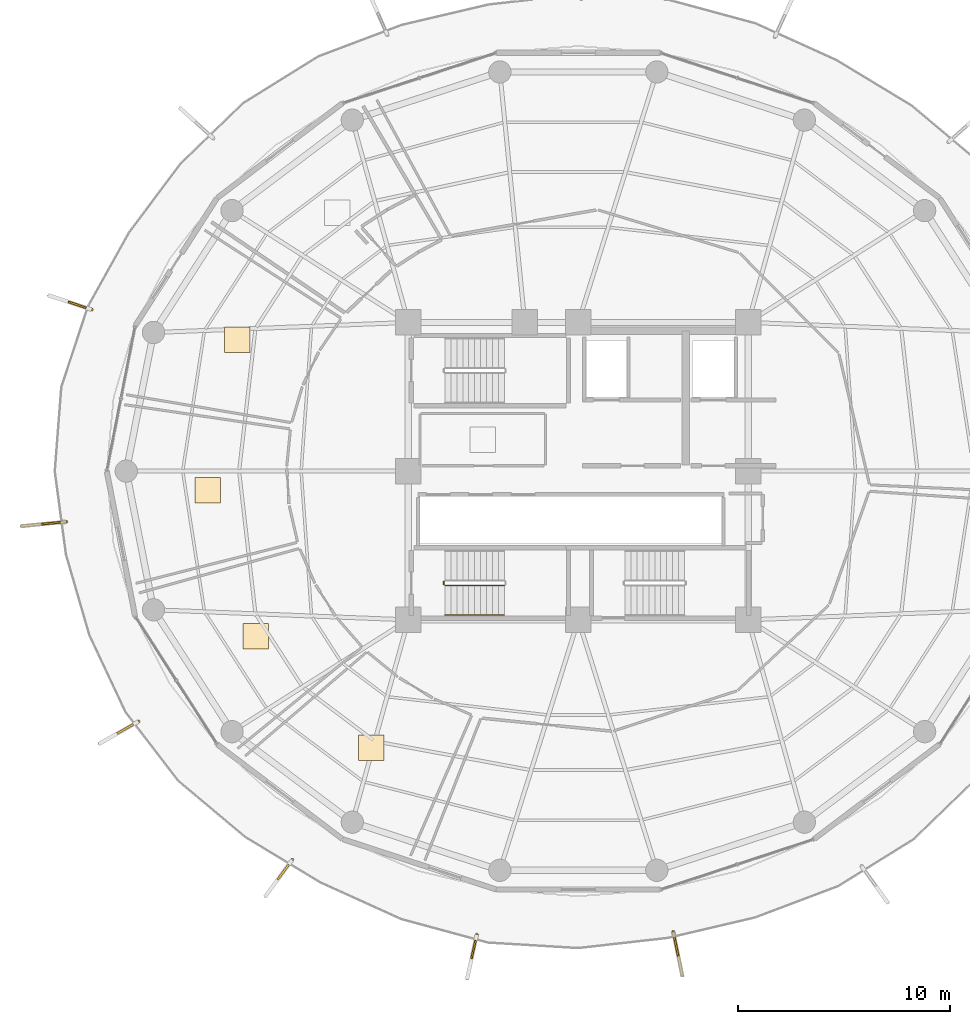
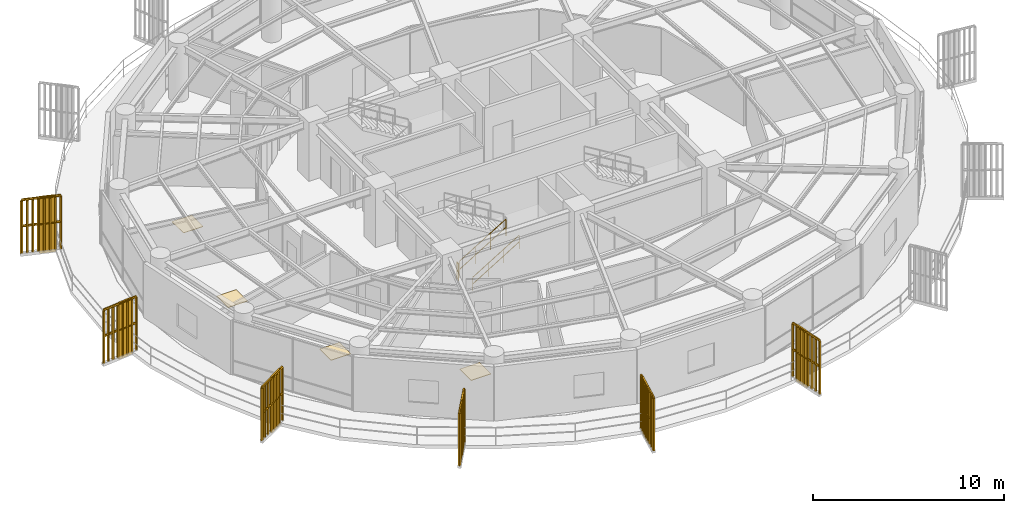
# One storey, part 28 of 31: 9 railings, 6 shading devices, 4 coverings.
"""IFC4 building model written with IfcOpenShell, lengths in metres."""

from ifc_helpers import new_model, si_unit, direction, frame, origin, origin_2d, place, context, subcontext, project, spatial, polyline, rectangle, outline, extrude, source, transform, mapped, material, layer, layer_set, type_object, element, save


model = new_model("IFC4")

# Units and contexts
model_context = context("Model", 3, precision=1e-05, world=origin(), true_north=direction((0.0, 1.0)))
body_context = subcontext(model_context, "Body", "Model", "MODEL_VIEW")
ifc_project = project(units=[si_unit("LENGTHUNIT", "METRE"), si_unit("AREAUNIT", "SQUARE_METRE"), si_unit("VOLUMEUNIT", "CUBIC_METRE"), si_unit("PLANEANGLEUNIT", "RADIAN"), si_unit("MASSUNIT", "GRAM", prefix="KILO")], contexts=[model_context])

# Site, building, storey
site_placement = place(None, origin())
site = spatial("IfcSite", under=ifc_project, at=site_placement, CompositionType="ELEMENT")
building_placement = place(site_placement, origin())
building = spatial("IfcBuilding", under=site, at=building_placement, Name="Kelanora Arch Commons", CompositionType="ELEMENT")
storey_placement = place(building_placement, frame((0.0, 0.0, 193.199951171875)))
storey = spatial("IfcBuildingStorey", under=building, at=storey_placement, Name="L49", CompositionType="ELEMENT", Elevation=193.199951171875)

# Railings
ifc_material_1 = material(Name="Anodised bronze vertical shading fin rib assembly")
railing_type_1 = type_object("IfcRailingType", Name="RAIL-FIN-BRZ", PredefinedType="BALUSTRADE", material=ifc_material_1)
railing_1_placement = place(storey_placement, frame((51.0947265625, 65.6005859375, -0.02001953125)))
element("IfcRailing", 1, at=railing_1_placement, inside=storey, type_object=railing_type_1, Name="Sweeping Bronze Vertical Fin Blade L49-08", PredefinedType="BALUSTRADE", context=body_context, shape_type="SweptSolid", body=[
    extrude(outline(polyline([(0.06982421875, 0.0), (0.034912109375, 0.060546875), (-0.034912109375, 0.060546875), (-0.06982421875, 0.0), (-0.034912109375, -0.060546875), (0.034912109375, -0.060546875), (0.06982421875, 0.0)])), frame((0.0, 0.0, 3.419921875), z_axis=(-0.94912248489, 0.314907142943, 0.0), x_axis=(-0.314907142943, -0.94912248489, 0.0)), (0.0, 0.0, 1.0), 2.10791015625),
    extrude(outline(polyline([(0.06982421875, 0.0), (0.034912109375, 0.060546875), (-0.034912109375, 0.060546875), (-0.06982421875, 0.0), (-0.034912109375, -0.060546875), (0.034912109375, -0.060546875), (0.06982421875, 0.0)])), frame((0.0, 0.0, 1.7451171875), z_axis=(-0.94912248489, 0.314907142943, 0.0), x_axis=(-0.314907142943, -0.94912248489, 0.0)), (0.0, 0.0, 1.0), 2.10791015625),
    extrude(outline(polyline([(0.080078125, 0.0), (0.0400390625, 0.0693359375), (-0.0400390625, 0.0693359375), (-0.080078125, 0.0), (-0.0400390625, -0.0693359375), (0.0400390625, -0.0693359375), (0.080078125, 0.0)])), origin(), (0.0, 0.0, 1.0), 3.35009765625),
    extrude(outline(polyline([(0.080078125, 0.0), (0.0400390625, 0.0693359375), (-0.0400390625, 0.0693359375), (-0.080078125, 0.0), (-0.0400390625, -0.0693359375), (0.0400390625, -0.0693359375), (0.080078125, 0.0)])), frame((-0.285888671875, 0.0947265625, 0.0)), (0.0, 0.0, 1.0), 3.35009765625),
    extrude(outline(polyline([(0.080078125, 0.0), (0.0400390625, 0.0693359375), (-0.0400390625, 0.0693359375), (-0.080078125, 0.0), (-0.0400390625, -0.0693359375), (0.0400390625, -0.0693359375), (0.080078125, 0.0)])), frame((-0.571533203125, 0.189697265625, 0.0)), (0.0, 0.0, 1.0), 3.35009765625),
    extrude(outline(polyline([(0.080078125, 0.0), (0.0400390625, 0.0693359375), (-0.0400390625, 0.0693359375), (-0.080078125, 0.0), (-0.0400390625, -0.0693359375), (0.0400390625, -0.0693359375), (0.080078125, 0.0)])), frame((-0.857421875, 0.284423828125, 0.0)), (0.0, 0.0, 1.0), 3.35009765625),
    extrude(outline(polyline([(0.080078125, 0.0), (0.0400390625, 0.0693359375), (-0.0400390625, 0.0693359375), (-0.080078125, 0.0), (-0.0400390625, -0.0693359375), (0.0400390625, -0.0693359375), (0.080078125, 0.0)])), frame((-1.143310546875, 0.37939453125, 0.0)), (0.0, 0.0, 1.0), 3.35009765625),
    extrude(outline(polyline([(0.080078125, 0.0), (0.0400390625, 0.0693359375), (-0.0400390625, 0.0693359375), (-0.080078125, 0.0), (-0.0400390625, -0.0693359375), (0.0400390625, -0.0693359375), (0.080078125, 0.0)])), frame((-1.42919921875, 0.47412109375, 0.0)), (0.0, 0.0, 1.0), 3.35009765625),
    extrude(outline(polyline([(0.080078125, 0.0), (0.0400390625, 0.0693359375), (-0.0400390625, 0.0693359375), (-0.080078125, 0.0), (-0.0400390625, -0.0693359375), (0.0400390625, -0.0693359375), (0.080078125, 0.0)])), frame((-1.71484375, 0.569091796875, 0.0)), (0.0, 0.0, 1.0), 3.35009765625),
    extrude(outline(polyline([(0.080078125, 0.0), (0.0400390625, 0.0693359375), (-0.0400390625, 0.0693359375), (-0.080078125, 0.0), (-0.0400390625, -0.0693359375), (0.0400390625, -0.0693359375), (0.080078125, 0.0)])), frame((-2.000732421875, 0.663818359375, 0.0)), (0.0, 0.0, 1.0), 3.35009765625),
])
railing_2_placement = place(storey_placement, frame((49.89599609375, 55.618408203125, -0.02001953125)))
element("IfcRailing", 2, at=railing_2_placement, inside=storey, type_object=railing_type_1, Name="Sweeping Bronze Vertical Fin Blade L49-09", PredefinedType="BALUSTRADE", context=body_context, shape_type="SweptSolid", body=[
    extrude(outline(polyline([(0.06982421875, 0.0), (0.034912109375, 0.060546875), (-0.034912109375, 0.060546875), (-0.06982421875, 0.0), (-0.034912109375, -0.060546875), (0.034912109375, -0.060546875), (0.06982421875, 0.0)])), frame((0.0, 0.0, 3.419921875), z_axis=(-0.995143254453, -0.098437305514, 0.0), x_axis=(0.098437305514, -0.995143254453, 0.0)), (0.0, 0.0, 1.0), 2.108154296875),
    extrude(outline(polyline([(0.06982421875, 0.0), (0.034912109375, 0.060546875), (-0.034912109375, 0.060546875), (-0.06982421875, 0.0), (-0.034912109375, -0.060546875), (0.034912109375, -0.060546875), (0.06982421875, 0.0)])), frame((0.0, 0.0, 1.7451171875), z_axis=(-0.995143254453, -0.098437305514, 0.0), x_axis=(0.098437305514, -0.995143254453, 0.0)), (0.0, 0.0, 1.0), 2.108154296875),
    extrude(outline(polyline([(0.080078125, 0.0), (0.0400390625, 0.0693359375), (-0.0400390625, 0.0693359375), (-0.080078125, 0.0), (-0.0400390625, -0.0693359375), (0.0400390625, -0.0693359375), (0.080078125, 0.0)])), origin(), (0.0, 0.0, 1.0), 3.35009765625),
    extrude(outline(polyline([(0.080078125, 0.0), (0.0400390625, 0.0693359375), (-0.0400390625, 0.0693359375), (-0.080078125, 0.0), (-0.0400390625, -0.0693359375), (0.0400390625, -0.0693359375), (0.080078125, 0.0)])), frame((-0.2998046875, -0.029541015625, 0.0)), (0.0, 0.0, 1.0), 3.35009765625),
    extrude(outline(polyline([(0.080078125, 0.0), (0.0400390625, 0.0693359375), (-0.0400390625, 0.0693359375), (-0.080078125, 0.0), (-0.0400390625, -0.0693359375), (0.0400390625, -0.0693359375), (0.080078125, 0.0)])), frame((-0.599365234375, -0.059326171875, 0.0)), (0.0, 0.0, 1.0), 3.35009765625),
    extrude(outline(polyline([(0.080078125, 0.0), (0.0400390625, 0.0693359375), (-0.0400390625, 0.0693359375), (-0.080078125, 0.0), (-0.0400390625, -0.0693359375), (0.0400390625, -0.0693359375), (0.080078125, 0.0)])), frame((-0.899169921875, -0.0888671875, 0.0)), (0.0, 0.0, 1.0), 3.35009765625),
    extrude(outline(polyline([(0.080078125, 0.0), (0.0400390625, 0.0693359375), (-0.0400390625, 0.0693359375), (-0.080078125, 0.0), (-0.0400390625, -0.0693359375), (0.0400390625, -0.0693359375), (0.080078125, 0.0)])), frame((-1.19873046875, -0.11865234375, 0.0)), (0.0, 0.0, 1.0), 3.35009765625),
    extrude(outline(polyline([(0.080078125, 0.0), (0.0400390625, 0.0693359375), (-0.0400390625, 0.0693359375), (-0.080078125, 0.0), (-0.0400390625, -0.0693359375), (0.0400390625, -0.0693359375), (0.080078125, 0.0)])), frame((-1.49853515625, -0.148193359375, 0.0)), (0.0, 0.0, 1.0), 3.35009765625),
    extrude(outline(polyline([(0.080078125, 0.0), (0.0400390625, 0.0693359375), (-0.0400390625, 0.0693359375), (-0.080078125, 0.0), (-0.0400390625, -0.0693359375), (0.0400390625, -0.0693359375), (0.080078125, 0.0)])), frame((-1.798095703125, -0.177978515625, 0.0)), (0.0, 0.0, 1.0), 3.35009765625),
    extrude(outline(polyline([(0.080078125, 0.0), (0.0400390625, 0.0693359375), (-0.0400390625, 0.0693359375), (-0.080078125, 0.0), (-0.0400390625, -0.0693359375), (0.0400390625, -0.0693359375), (0.080078125, 0.0)])), frame((-2.097900390625, -0.20751953125, 0.0)), (0.0, 0.0, 1.0), 3.35009765625),
])
railing_3_placement = place(storey_placement, frame((53.2978515625, 46.218994140625, -0.02001953125)))
element("IfcRailing", 3, at=railing_3_placement, inside=storey, type_object=railing_type_1, Name="Sweeping Bronze Vertical Fin Blade L49-10", PredefinedType="BALUSTRADE", context=body_context, shape_type="SweptSolid", body=[
    extrude(outline(polyline([(0.06982421875, 0.0), (0.034912109375, 0.060546875), (-0.034912109375, 0.060546875), (-0.06982421875, 0.0), (-0.034912109375, -0.060546875), (0.034912109375, -0.060546875), (0.06982421875, 0.0)])), frame((0.0, 0.0, 3.419921875), z_axis=(-0.869139797549, -0.494566489277, 0.0), x_axis=(0.494566489277, -0.869139797549, 0.0)), (0.0, 0.0, 1.0), 2.10791015625),
    extrude(outline(polyline([(0.06982421875, 0.0), (0.034912109375, 0.060546875), (-0.034912109375, 0.060546875), (-0.06982421875, 0.0), (-0.034912109375, -0.060546875), (0.034912109375, -0.060546875), (0.06982421875, 0.0)])), frame((0.0, 0.0, 1.7451171875), z_axis=(-0.869139797549, -0.494566489277, 0.0), x_axis=(0.494566489277, -0.869139797549, 0.0)), (0.0, 0.0, 1.0), 2.10791015625),
    extrude(outline(polyline([(0.080078125, 0.0), (0.0400390625, 0.0693359375), (-0.0400390625, 0.0693359375), (-0.080078125, 0.0), (-0.0400390625, -0.0693359375), (0.0400390625, -0.0693359375), (0.080078125, 0.0)])), origin(), (0.0, 0.0, 1.0), 3.35009765625),
    extrude(outline(polyline([(0.080078125, 0.0), (0.0400390625, 0.0693359375), (-0.0400390625, 0.0693359375), (-0.080078125, 0.0), (-0.0400390625, -0.0693359375), (0.0400390625, -0.0693359375), (0.080078125, 0.0)])), frame((-0.26171875, -0.14892578125, 0.0)), (0.0, 0.0, 1.0), 3.35009765625),
    extrude(outline(polyline([(0.080078125, 0.0), (0.0400390625, 0.0693359375), (-0.0400390625, 0.0693359375), (-0.080078125, 0.0), (-0.0400390625, -0.0693359375), (0.0400390625, -0.0693359375), (0.080078125, 0.0)])), frame((-0.5234375, -0.2978515625, 0.0)), (0.0, 0.0, 1.0), 3.35009765625),
    extrude(outline(polyline([(0.080078125, 0.0), (0.0400390625, 0.0693359375), (-0.0400390625, 0.0693359375), (-0.080078125, 0.0), (-0.0400390625, -0.0693359375), (0.0400390625, -0.0693359375), (0.080078125, 0.0)])), frame((-0.78515625, -0.44677734375, 0.0)), (0.0, 0.0, 1.0), 3.35009765625),
    extrude(outline(polyline([(0.080078125, 0.0), (0.0400390625, 0.0693359375), (-0.0400390625, 0.0693359375), (-0.080078125, 0.0), (-0.0400390625, -0.0693359375), (0.0400390625, -0.0693359375), (0.080078125, 0.0)])), frame((-1.046875, -0.595703125, 0.0)), (0.0, 0.0, 1.0), 3.35009765625),
    extrude(outline(polyline([(0.080078125, 0.0), (0.0400390625, 0.0693359375), (-0.0400390625, 0.0693359375), (-0.080078125, 0.0), (-0.0400390625, -0.0693359375), (0.0400390625, -0.0693359375), (0.080078125, 0.0)])), frame((-1.30859375, -0.74462890625, 0.0)), (0.0, 0.0, 1.0), 3.35009765625),
    extrude(outline(polyline([(0.080078125, 0.0), (0.0400390625, 0.0693359375), (-0.0400390625, 0.0693359375), (-0.080078125, 0.0), (-0.0400390625, -0.0693359375), (0.0400390625, -0.0693359375), (0.080078125, 0.0)])), frame((-1.5703125, -0.8935546875, 0.0)), (0.0, 0.0, 1.0), 3.35009765625),
    extrude(outline(polyline([(0.080078125, 0.0), (0.0400390625, 0.0693359375), (-0.0400390625, 0.0693359375), (-0.080078125, 0.0), (-0.0400390625, -0.0693359375), (0.0400390625, -0.0693359375), (0.080078125, 0.0)])), frame((-1.83203125, -1.04248046875, 0.0)), (0.0, 0.0, 1.0), 3.35009765625),
])
railing_4_placement = place(storey_placement, frame((60.531005859375, 39.702392578125, -0.02001953125)))
element("IfcRailing", 4, at=railing_4_placement, inside=storey, type_object=railing_type_1, Name="Sweeping Bronze Vertical Fin Blade L49-11", PredefinedType="BALUSTRADE", context=body_context, shape_type="SweptSolid", body=[
    extrude(outline(polyline([(0.06982421875, 0.0), (0.034912109375, 0.060546875), (-0.034912109375, 0.060546875), (-0.06982421875, 0.0), (-0.034912109375, -0.060546875), (0.034912109375, -0.060546875), (0.06982421875, 0.0)])), frame((0.0, 0.0, 3.419921875), z_axis=(-0.592803864681, -0.805346868138, 0.0), x_axis=(0.805346868138, -0.592803864681, 0.0)), (0.0, 0.0, 1.0), 2.10791015625),
    extrude(outline(polyline([(0.06982421875, 0.0), (0.034912109375, 0.060546875), (-0.034912109375, 0.060546875), (-0.06982421875, 0.0), (-0.034912109375, -0.060546875), (0.034912109375, -0.060546875), (0.06982421875, 0.0)])), frame((0.0, 0.0, 1.7451171875), z_axis=(-0.592803864681, -0.805346868138, 0.0), x_axis=(0.805346868138, -0.592803864681, 0.0)), (0.0, 0.0, 1.0), 2.10791015625),
    extrude(outline(polyline([(0.080078125, 0.0), (0.0400390625, 0.0693359375), (-0.0400390625, 0.0693359375), (-0.080078125, 0.0), (-0.0400390625, -0.0693359375), (0.0400390625, -0.0693359375), (0.080078125, 0.0)])), origin(), (0.0, 0.0, 1.0), 3.35009765625),
    extrude(outline(polyline([(0.080078125, 0.0), (0.0400390625, 0.0693359375), (-0.0400390625, 0.0693359375), (-0.080078125, 0.0), (-0.0400390625, -0.0693359375), (0.0400390625, -0.0693359375), (0.080078125, 0.0)])), frame((-0.178466796875, -0.242431640625, 0.0)), (0.0, 0.0, 1.0), 3.35009765625),
    extrude(outline(polyline([(0.080078125, 0.0), (0.0400390625, 0.0693359375), (-0.0400390625, 0.0693359375), (-0.080078125, 0.0), (-0.0400390625, -0.0693359375), (0.0400390625, -0.0693359375), (0.080078125, 0.0)])), frame((-0.35693359375, -0.485107421875, 0.0)), (0.0, 0.0, 1.0), 3.35009765625),
    extrude(outline(polyline([(0.080078125, 0.0), (0.0400390625, 0.0693359375), (-0.0400390625, 0.0693359375), (-0.080078125, 0.0), (-0.0400390625, -0.0693359375), (0.0400390625, -0.0693359375), (0.080078125, 0.0)])), frame((-0.535400390625, -0.7275390625, 0.0)), (0.0, 0.0, 1.0), 3.35009765625),
    extrude(outline(polyline([(0.080078125, 0.0), (0.0400390625, 0.0693359375), (-0.0400390625, 0.0693359375), (-0.080078125, 0.0), (-0.0400390625, -0.0693359375), (0.0400390625, -0.0693359375), (0.080078125, 0.0)])), frame((-0.714111328125, -0.969970703125, 0.0)), (0.0, 0.0, 1.0), 3.35009765625),
    extrude(outline(polyline([(0.080078125, 0.0), (0.0400390625, 0.0693359375), (-0.0400390625, 0.0693359375), (-0.080078125, 0.0), (-0.0400390625, -0.0693359375), (0.0400390625, -0.0693359375), (0.080078125, 0.0)])), frame((-0.892578125, -1.21240234375, 0.0)), (0.0, 0.0, 1.0), 3.35009765625),
    extrude(outline(polyline([(0.080078125, 0.0), (0.0400390625, 0.0693359375), (-0.0400390625, 0.0693359375), (-0.080078125, 0.0), (-0.0400390625, -0.0693359375), (0.0400390625, -0.0693359375), (0.080078125, 0.0)])), frame((-1.071044921875, -1.455078125, 0.0)), (0.0, 0.0, 1.0), 3.35009765625),
    extrude(outline(polyline([(0.080078125, 0.0), (0.0400390625, 0.0693359375), (-0.0400390625, 0.0693359375), (-0.080078125, 0.0), (-0.0400390625, -0.0693359375), (0.0400390625, -0.0693359375), (0.080078125, 0.0)])), frame((-1.24951171875, -1.697509765625, 0.0)), (0.0, 0.0, 1.0), 3.35009765625),
])
railing_5_placement = place(storey_placement, frame((69.220458984375, 36.18359375, -0.02001953125)))
element("IfcRailing", 5, at=railing_5_placement, inside=storey, type_object=railing_type_1, Name="Sweeping Bronze Vertical Fin Blade L49-12", PredefinedType="BALUSTRADE", context=body_context, shape_type="SweptSolid", body=[
    extrude(outline(polyline([(0.06982421875, 0.0), (0.034912109375, 0.060546875), (-0.034912109375, 0.060546875), (-0.06982421875, 0.0), (-0.034912109375, -0.060546875), (0.034912109375, -0.060546875), (0.06982421875, 0.0)])), frame((0.0, 0.0, 3.419921875), z_axis=(-0.214035366938, -0.976825911665, 0.0), x_axis=(0.976825911665, -0.214035366938, 0.0)), (0.0, 0.0, 1.0), 2.10791015625),
    extrude(outline(polyline([(0.06982421875, 0.0), (0.034912109375, 0.060546875), (-0.034912109375, 0.060546875), (-0.06982421875, 0.0), (-0.034912109375, -0.060546875), (0.034912109375, -0.060546875), (0.06982421875, 0.0)])), frame((0.0, 0.0, 1.7451171875), z_axis=(-0.214035366938, -0.976825911665, 0.0), x_axis=(0.976825911665, -0.214035366938, 0.0)), (0.0, 0.0, 1.0), 2.10791015625),
    extrude(outline(polyline([(0.080078125, 0.0), (0.0400390625, 0.0693359375), (-0.0400390625, 0.0693359375), (-0.080078125, 0.0), (-0.0400390625, -0.0693359375), (0.0400390625, -0.0693359375), (0.080078125, 0.0)])), origin(), (0.0, 0.0, 1.0), 3.35009765625),
    extrude(outline(polyline([(0.080078125, 0.0), (0.0400390625, 0.0693359375), (-0.0400390625, 0.0693359375), (-0.080078125, 0.0), (-0.0400390625, -0.0693359375), (0.0400390625, -0.0693359375), (0.080078125, 0.0)])), frame((-0.064453125, -0.294189453125, 0.0)), (0.0, 0.0, 1.0), 3.35009765625),
    extrude(outline(polyline([(0.080078125, 0.0), (0.0400390625, 0.0693359375), (-0.0400390625, 0.0693359375), (-0.080078125, 0.0), (-0.0400390625, -0.0693359375), (0.0400390625, -0.0693359375), (0.080078125, 0.0)])), frame((-0.12890625, -0.58837890625, 0.0)), (0.0, 0.0, 1.0), 3.35009765625),
    extrude(outline(polyline([(0.080078125, 0.0), (0.0400390625, 0.0693359375), (-0.0400390625, 0.0693359375), (-0.080078125, 0.0), (-0.0400390625, -0.0693359375), (0.0400390625, -0.0693359375), (0.080078125, 0.0)])), frame((-0.193359375, -0.882568359375, 0.0)), (0.0, 0.0, 1.0), 3.35009765625),
    extrude(outline(polyline([(0.080078125, 0.0), (0.0400390625, 0.0693359375), (-0.0400390625, 0.0693359375), (-0.080078125, 0.0), (-0.0400390625, -0.0693359375), (0.0400390625, -0.0693359375), (0.080078125, 0.0)])), frame((-0.2578125, -1.176513671875, 0.0)), (0.0, 0.0, 1.0), 3.35009765625),
    extrude(outline(polyline([(0.080078125, 0.0), (0.0400390625, 0.0693359375), (-0.0400390625, 0.0693359375), (-0.080078125, 0.0), (-0.0400390625, -0.0693359375), (0.0400390625, -0.0693359375), (0.080078125, 0.0)])), frame((-0.322265625, -1.470703125, 0.0)), (0.0, 0.0, 1.0), 3.35009765625),
    extrude(outline(polyline([(0.080078125, 0.0), (0.0400390625, 0.0693359375), (-0.0400390625, 0.0693359375), (-0.080078125, 0.0), (-0.0400390625, -0.0693359375), (0.0400390625, -0.0693359375), (0.080078125, 0.0)])), frame((-0.38671875, -1.764892578125, 0.0)), (0.0, 0.0, 1.0), 3.35009765625),
    extrude(outline(polyline([(0.080078125, 0.0), (0.0400390625, 0.0693359375), (-0.0400390625, 0.0693359375), (-0.080078125, 0.0), (-0.0400390625, -0.0693359375), (0.0400390625, -0.0693359375), (0.080078125, 0.0)])), frame((-0.451171875, -2.05908203125, 0.0)), (0.0, 0.0, 1.0), 3.35009765625),
])
railing_6_placement = place(storey_placement, frame((78.468017578125, 36.31689453125, -0.02001953125)))
element("IfcRailing", 6, at=railing_6_placement, inside=storey, type_object=railing_type_1, Name="Sweeping Bronze Vertical Fin Blade L49-13", PredefinedType="BALUSTRADE", context=body_context, shape_type="SweptSolid", body=[
    extrude(outline(polyline([(0.06982421875, 0.0), (0.034912109375, 0.060546875), (-0.034912109375, 0.060546875), (-0.06982421875, 0.0), (-0.034912109375, -0.060546875), (0.034912109375, -0.060546875), (0.06982421875, 0.0)])), frame((0.0, 0.0, 3.419921875), z_axis=(0.201747685231, -0.979437528127, 0.0), x_axis=(0.979437528127, 0.201747685231, 0.0)), (0.0, 0.0, 1.0), 2.108154296875),
    extrude(outline(polyline([(0.06982421875, 0.0), (0.034912109375, 0.060546875), (-0.034912109375, 0.060546875), (-0.06982421875, 0.0), (-0.034912109375, -0.060546875), (0.034912109375, -0.060546875), (0.06982421875, 0.0)])), frame((0.0, 0.0, 1.7451171875), z_axis=(0.201747685231, -0.979437528127, 0.0), x_axis=(0.979437528127, 0.201747685231, 0.0)), (0.0, 0.0, 1.0), 2.108154296875),
    extrude(outline(polyline([(0.080078125, 0.0), (0.0400390625, 0.0693359375), (-0.0400390625, 0.0693359375), (-0.080078125, 0.0), (-0.0400390625, -0.0693359375), (0.0400390625, -0.0693359375), (0.080078125, 0.0)])), origin(), (0.0, 0.0, 1.0), 3.35009765625),
    extrude(outline(polyline([(0.080078125, 0.0), (0.0400390625, 0.0693359375), (-0.0400390625, 0.0693359375), (-0.080078125, 0.0), (-0.0400390625, -0.0693359375), (0.0400390625, -0.0693359375), (0.080078125, 0.0)])), frame((0.060791015625, -0.294921875, 0.0)), (0.0, 0.0, 1.0), 3.35009765625),
    extrude(outline(polyline([(0.080078125, 0.0), (0.0400390625, 0.0693359375), (-0.0400390625, 0.0693359375), (-0.080078125, 0.0), (-0.0400390625, -0.0693359375), (0.0400390625, -0.0693359375), (0.080078125, 0.0)])), frame((0.12158203125, -0.58984375, 0.0)), (0.0, 0.0, 1.0), 3.35009765625),
    extrude(outline(polyline([(0.080078125, 0.0), (0.0400390625, 0.0693359375), (-0.0400390625, 0.0693359375), (-0.080078125, 0.0), (-0.0400390625, -0.0693359375), (0.0400390625, -0.0693359375), (0.080078125, 0.0)])), frame((0.182373046875, -0.884765625, 0.0)), (0.0, 0.0, 1.0), 3.35009765625),
    extrude(outline(polyline([(0.080078125, 0.0), (0.0400390625, 0.0693359375), (-0.0400390625, 0.0693359375), (-0.080078125, 0.0), (-0.0400390625, -0.0693359375), (0.0400390625, -0.0693359375), (0.080078125, 0.0)])), frame((0.242919921875, -1.179931640625, 0.0)), (0.0, 0.0, 1.0), 3.35009765625),
    extrude(outline(polyline([(0.080078125, 0.0), (0.0400390625, 0.0693359375), (-0.0400390625, 0.0693359375), (-0.080078125, 0.0), (-0.0400390625, -0.0693359375), (0.0400390625, -0.0693359375), (0.080078125, 0.0)])), frame((0.3037109375, -1.474853515625, 0.0)), (0.0, 0.0, 1.0), 3.35009765625),
    extrude(outline(polyline([(0.080078125, 0.0), (0.0400390625, 0.0693359375), (-0.0400390625, 0.0693359375), (-0.080078125, 0.0), (-0.0400390625, -0.0693359375), (0.0400390625, -0.0693359375), (0.080078125, 0.0)])), frame((0.364501953125, -1.769775390625, 0.0)), (0.0, 0.0, 1.0), 3.35009765625),
    extrude(outline(polyline([(0.080078125, 0.0), (0.0400390625, 0.0693359375), (-0.0400390625, 0.0693359375), (-0.080078125, 0.0), (-0.0400390625, -0.0693359375), (0.0400390625, -0.0693359375), (0.080078125, 0.0)])), frame((0.42529296875, -2.064697265625, 0.0)), (0.0, 0.0, 1.0), 3.35009765625),
])
ifc_material_2 = material(Name="Painted steel stair well guard", Category="steel")
railing_type_2 = type_object("IfcRailingType", Name="RAIL-STAIR-GRD", PredefinedType="GUARDRAIL", material=ifc_material_2)
railing_7_placement = place(storey_placement, frame((67.719970703125, 52.610107421875, 0.17041015625)))
element("IfcRailing", 7, at=railing_7_placement, inside=storey, type_object=railing_type_2, Name="L49 ST-T3 stair guard 1", PredefinedType="GUARDRAIL", context=body_context, shape_type="SweptSolid", body=[
    extrude(outline(polyline([(0.02392578125, 0.0), (0.011962890625, 0.020751953125), (-0.011962890625, 0.020751953125), (-0.02392578125, 0.0), (-0.011962890625, -0.020751953125), (0.011962890625, -0.020751953125), (0.02392578125, 0.0)])), frame((0.0, 0.0, 1.076171875), z_axis=(0.854169791009, 0.0, 0.51999420009), x_axis=(0.0, 1.0, 0.0)), (0.0, 0.0, 1.0), 3.278076171875),
    extrude(outline(polyline([(0.02392578125, 0.0), (0.011962890625, 0.020751953125), (-0.011962890625, 0.020751953125), (-0.02392578125, 0.0), (-0.011962890625, -0.020751953125), (0.011962890625, -0.020751953125), (0.02392578125, 0.0)])), frame((0.0, 0.0, 0.550048828125), z_axis=(0.854169791009, 0.0, 0.51999420009), x_axis=(0.0, 1.0, 0.0)), (0.0, 0.0, 1.0), 3.278076171875),
    extrude(outline(polyline([(0.02099609375, 0.0), (0.010498046875, 0.01806640625), (-0.010498046875, 0.01806640625), (-0.02099609375, 0.0), (-0.010498046875, -0.01806640625), (0.010498046875, -0.01806640625), (0.02099609375, 0.0)])), origin(), (0.0, 0.0, 1.0), 1.052001953125),
    extrude(outline(polyline([(0.02099609375, 0.0), (0.010498046875, 0.01806640625), (-0.010498046875, 0.01806640625), (-0.02099609375, 0.0), (-0.010498046875, -0.01806640625), (0.010498046875, -0.01806640625), (0.02099609375, 0.0)])), frame((0.933349609375, 0.0, 0.568115234375)), (0.0, 0.0, 1.0), 1.052001953125),
    extrude(outline(polyline([(0.02099609375, 0.0), (0.010498046875, 0.01806640625), (-0.010498046875, 0.01806640625), (-0.02099609375, 0.0), (-0.010498046875, -0.01806640625), (0.010498046875, -0.01806640625), (0.02099609375, 0.0)])), frame((1.86669921875, 0.0, 1.136474609375)), (0.0, 0.0, 1.0), 1.052001953125),
    extrude(outline(polyline([(0.02099609375, 0.0), (0.010498046875, 0.01806640625), (-0.010498046875, 0.01806640625), (-0.02099609375, 0.0), (-0.010498046875, -0.01806640625), (0.010498046875, -0.01806640625), (0.02099609375, 0.0)])), frame((2.800048828125, 0.0, 1.70458984375)), (0.0, 0.0, 1.0), 1.052001953125),
])
railing_8_placement = place(storey_placement, frame((67.669921875, 52.659912109375, 0.0)))
element("IfcRailing", 8, at=railing_8_placement, inside=storey, type_object=railing_type_2, Name="L49 ST-T3 stair guard 4", PredefinedType="GUARDRAIL", context=body_context, shape_type="SweptSolid", body=[
    extrude(outline(polyline([(0.02392578125, 0.0), (0.011962890625, 0.020751953125), (-0.011962890625, 0.020751953125), (-0.02392578125, 0.0), (-0.011962890625, -0.020751953125), (0.011962890625, -0.020751953125), (0.02392578125, 0.0)])), frame((0.0, 0.0, 1.076171875), z_axis=(0.0, 1.0, 0.0), x_axis=(-1.0, 0.0, 0.0)), (0.0, 0.0, 1.0), 0.150146484375),
    extrude(outline(polyline([(0.02392578125, 0.0), (0.011962890625, 0.020751953125), (-0.011962890625, 0.020751953125), (-0.02392578125, 0.0), (-0.011962890625, -0.020751953125), (0.011962890625, -0.020751953125), (0.02392578125, 0.0)])), frame((0.0, 0.0, 0.550048828125), z_axis=(0.0, 1.0, 0.0), x_axis=(-1.0, 0.0, 0.0)), (0.0, 0.0, 1.0), 0.150146484375),
    extrude(outline(polyline([(0.02099609375, 0.0), (0.010498046875, 0.01806640625), (-0.010498046875, 0.01806640625), (-0.02099609375, 0.0), (-0.010498046875, -0.01806640625), (0.010498046875, -0.01806640625), (0.02099609375, 0.0)])), origin(), (0.0, 0.0, 1.0), 1.052001953125),
    extrude(outline(polyline([(0.02099609375, 0.0), (0.010498046875, 0.01806640625), (-0.010498046875, 0.01806640625), (-0.02099609375, 0.0), (-0.010498046875, -0.01806640625), (0.010498046875, -0.01806640625), (0.02099609375, 0.0)])), frame((0.0, 0.150146484375, 0.0)), (0.0, 0.0, 1.0), 1.052001953125),
])
ifc_material_3 = material(Name="Brushed stainless steel stair handrail", Category="steel")
railing_type_3 = type_object("IfcRailingType", Name="RAIL-STAIR-HND", PredefinedType="HANDRAIL", material=ifc_material_3)
railing_9_placement = place(storey_placement, frame((67.719970703125, 51.22998046875, 0.17041015625)))
element("IfcRailing", 9, at=railing_9_placement, inside=storey, type_object=railing_type_3, Name="L49 ST-T3 stair handrail 1", PredefinedType="HANDRAIL", context=body_context, shape_type="SweptSolid", body=[
    extrude(outline(polyline([(0.02392578125, 0.0), (0.011962890625, 0.020751953125), (-0.011962890625, 0.020751953125), (-0.02392578125, 0.0), (-0.011962890625, -0.020751953125), (0.011962890625, -0.020751953125), (0.02392578125, 0.0)])), frame((0.0, 0.0, 0.8759765625), z_axis=(0.854169791009, 0.0, 0.51999420009), x_axis=(0.0, 1.0, 0.0)), (0.0, 0.0, 1.0), 3.278076171875),
    extrude(outline(polyline([(0.02392578125, 0.0), (0.011962890625, 0.020751953125), (-0.011962890625, 0.020751953125), (-0.02392578125, 0.0), (-0.011962890625, -0.020751953125), (0.011962890625, -0.020751953125), (0.02392578125, 0.0)])), frame((0.0, 0.0, 0.449951171875), z_axis=(0.854169791009, 0.0, 0.51999420009), x_axis=(0.0, 1.0, 0.0)), (0.0, 0.0, 1.0), 3.278076171875),
    extrude(outline(polyline([(0.02099609375, 0.0), (0.010498046875, 0.01806640625), (-0.010498046875, 0.01806640625), (-0.02099609375, 0.0), (-0.010498046875, -0.01806640625), (0.010498046875, -0.01806640625), (0.02099609375, 0.0)])), origin(), (0.0, 0.0, 1.0), 0.851806640625),
    extrude(outline(polyline([(0.02099609375, 0.0), (0.010498046875, 0.01806640625), (-0.010498046875, 0.01806640625), (-0.02099609375, 0.0), (-0.010498046875, -0.01806640625), (0.010498046875, -0.01806640625), (0.02099609375, 0.0)])), frame((0.933349609375, 0.0, 0.568115234375)), (0.0, 0.0, 1.0), 0.851806640625),
    extrude(outline(polyline([(0.02099609375, 0.0), (0.010498046875, 0.01806640625), (-0.010498046875, 0.01806640625), (-0.02099609375, 0.0), (-0.010498046875, -0.01806640625), (0.010498046875, -0.01806640625), (0.02099609375, 0.0)])), frame((1.86669921875, 0.0, 1.136474609375)), (0.0, 0.0, 1.0), 0.851806640625),
    extrude(outline(polyline([(0.02099609375, 0.0), (0.010498046875, 0.01806640625), (-0.010498046875, 0.01806640625), (-0.02099609375, 0.0), (-0.010498046875, -0.01806640625), (0.010498046875, -0.01806640625), (0.02099609375, 0.0)])), frame((2.800048828125, 0.0, 1.70458984375)), (0.0, 0.0, 1.0), 0.851806640625),
])

# Shading devices
ifc_material_4 = material(Name="Terracotta ceramic-clad extruded aluminium fin", Category="masonry")
shading_device_type = type_object("IfcShadingDeviceType", Name="SHD-FIN-FLARE", PredefinedType="USERDEFINED", material=ifc_material_4)
shared_shape_1 = source(origin(), body_context, "Body", "SweptSolid", [
    extrude(rectangle(XDim=0.8798828125, YDim=0.090087890625, at=origin_2d()), origin(), (0.0, 0.0, 1.0), 3.610107421875),
])
for number, where, z_axis, x_axis, name in (
    (10, (50.411376953125, 65.8271484375, -0.14013671875), (0.0, 0.0, 1.0), (-0.94909614499, 0.314986519655, 0.0), "Sweeping Terracotta Fin L49-08"),
    (11, (49.179443359375, 55.547607421875, -0.14013671875), (0.0, 0.0, 1.0), (-0.995159031741, -0.09827767572, 0.0), "Sweeping Terracotta Fin L49-09"),
    (12, (52.672119140625, 45.86279296875, -0.14013671875), (0.0, 0.0, 1.0), (-0.869149881167, -0.494548768138, 0.0), "Sweeping Terracotta Fin L49-10"),
    (13, (60.104248046875, 39.12255859375, -0.14013671875), (0.0, 0.0, 1.0), (-0.592856820161, -0.805307885711, 0.0), "Sweeping Terracotta Fin L49-11"),
    (14, (69.06640625, 35.480224609375, -0.14013671875), (0.0, 0.0, 1.0), (-0.214053429014, -0.976821953852, 0.0), "Sweeping Terracotta Fin L49-12"),
    (15, (78.61328125, 35.61181640625, -0.14013671875), (0.0, 0.0, 1.0), (0.201761744624, -0.979434632023, 0.0), "Sweeping Terracotta Fin L49-13"),
):
    element("IfcShadingDevice", number, at=place(storey_placement, frame(where, z_axis=z_axis, x_axis=x_axis)), inside=storey, type_object=shading_device_type, Name=name, ObjectType="FIN", PredefinedType="USERDEFINED", context=body_context, shape_type="MappedRepresentation", body=[
        mapped(shared_shape_1, transform((0.0, 0.0, 0.0), scale=1.0)),
    ])

# Coverings
ifc_material_5 = material(Name="Polished local granite terrazzo flooring", Category="masonry")
ifc_layer = layer(ifc_material_5, 0.030029296875)
ifc_layer_set = layer_set([ifc_layer], Name="Polished local granite terrazzo flooring")
covering_type = type_object("IfcCoveringType", Name="COV-FLR-TER", PredefinedType="FLOORING", material=ifc_layer_set)
shared_shape_2 = source(origin(), body_context, "Body", "SweptSolid", [
    extrude(rectangle(XDim=1.199951171875, YDim=1.199951171875, at=origin_2d()), origin(), (0.0, 0.0, 1.0), 0.030029296875),
])
for number, where, z_axis, x_axis, name in (
    (16, (57.93798828125, 64.175537109375, 0.0), (0.0, 0.0, 1.0), (1.0, 0.0, 0.0), "Communal Dining and Social Hall L49-02 Terrazzo Finish"),
    (17, (56.556884765625, 57.1103515625, 0.0), (0.0, 0.0, 1.0), (1.0, 0.0, 0.0), "Social Sky Lounge L49-03 Terrazzo Finish"),
    (18, (58.8193359375, 50.23095703125, 0.0), (0.0, 0.0, 1.0), (1.0, 0.0, 0.0), "Quiet Seminar Study Room L49-04 Terrazzo Finish"),
    (19, (64.2529296875, 44.97412109375, 0.0), (0.0, 0.0, 1.0), (1.0, 0.0, 0.0), "Communal Dining and Social Hall L49-05 Terrazzo Finish"),
):
    element("IfcCovering", number, at=place(storey_placement, frame(where, z_axis=z_axis, x_axis=x_axis)), inside=storey, type_object=covering_type, Name=name, PredefinedType="FLOORING", context=body_context, shape_type="MappedRepresentation", body=[
        mapped(shared_shape_2, transform((0.0, 0.0, 0.0), scale=1.0)),
    ])

save(model, "model.ifc")
